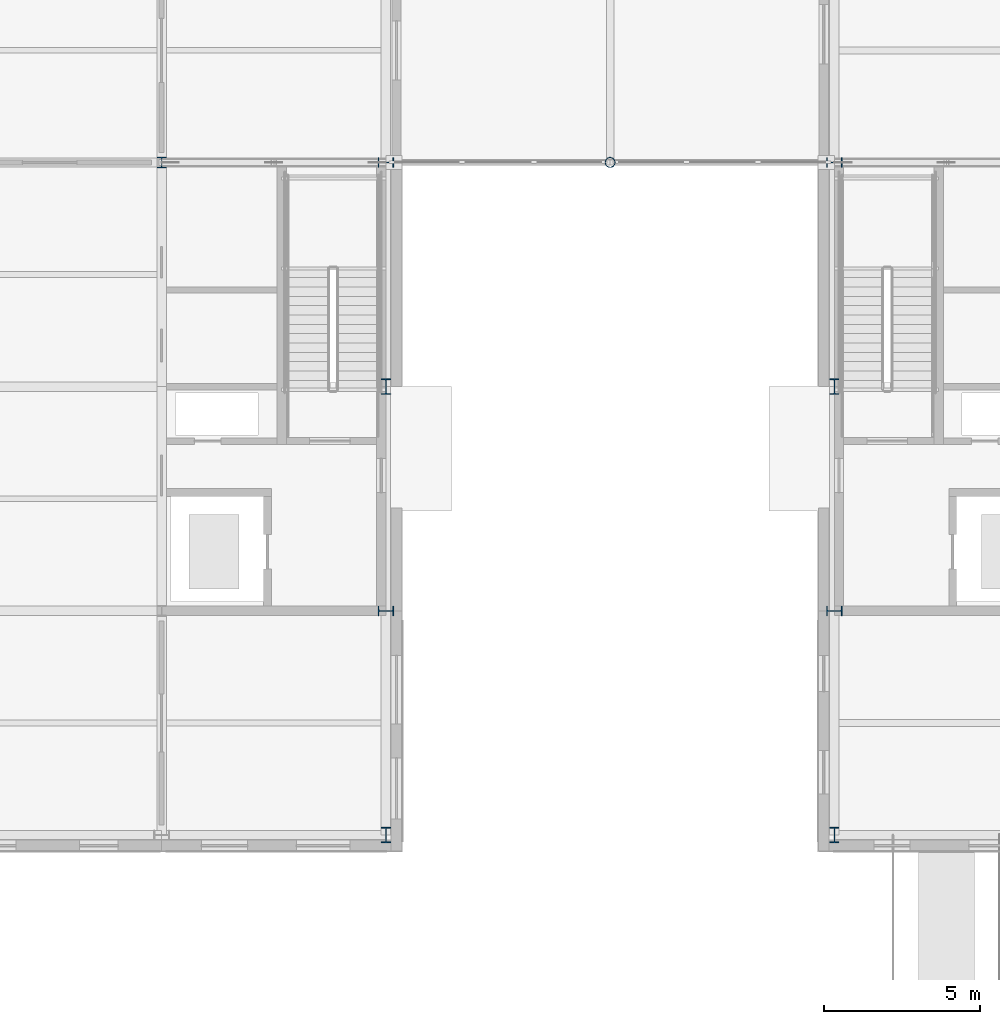
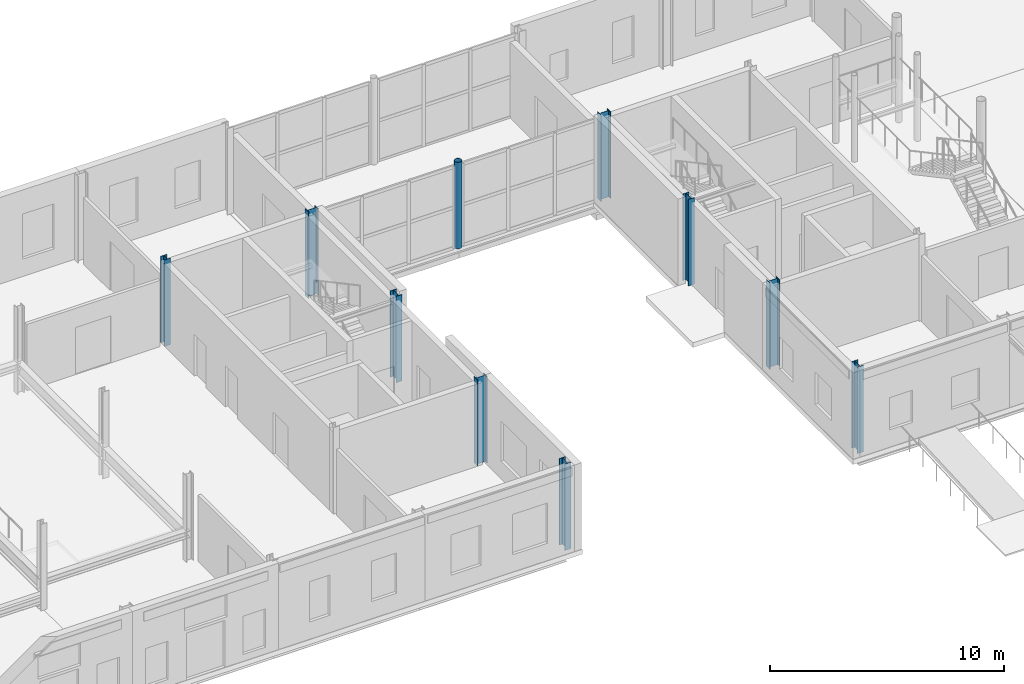
# One storey, part 2 of 92: 10 columns.
"""IFC4 building model written with IfcOpenShell, lengths in metres."""

from ifc_helpers import new_model, si_unit, direction, frame, origin, origin_2d, place, context, subcontext, project, spatial, hollow_circle, i_section, extrude, material, material_profile, profile_set, type_object, element, save


model = new_model("IFC4")

# Units and contexts
model_context = context("Model", 3, precision=1e-05, world=origin(), true_north=direction((0.0, 1.0)))
body_context = subcontext(model_context, "Body", "Model", "MODEL_VIEW")
ifc_project = project(units=[si_unit("LENGTHUNIT", "METRE"), si_unit("AREAUNIT", "SQUARE_METRE"), si_unit("VOLUMEUNIT", "CUBIC_METRE"), si_unit("PLANEANGLEUNIT", "RADIAN"), si_unit("MASSUNIT", "GRAM", prefix="KILO")], contexts=[model_context])

# Site, building, storey
site_placement = place(None, origin())
site = spatial("IfcSite", under=ifc_project, at=site_placement, CompositionType="ELEMENT")
building_placement = place(site_placement, origin())
building = spatial("IfcBuilding", under=site, at=building_placement, Name="Zlatovets Crest Museum", CompositionType="ELEMENT")
storey_placement = place(building_placement, origin())
storey = spatial("IfcBuildingStorey", under=building, at=storey_placement, Name="L00", CompositionType="ELEMENT", Elevation=0.0)

# Columns
ifc_material = material(Name="Structural steel S355J2", Category="steel")
ifc_material_profile_1 = material_profile(ifc_material, i_section(OverallWidth=0.300048828125, OverallDepth=0.5, WebThickness=0.014404296875, FlangeThickness=0.028076171875, FilletRadius=0.027099609375, at=origin_2d()), Name="HEB 500")
ifc_profile_set_1 = profile_set([ifc_material_profile_1], Name="Structural steel S355J2")
column_type_1 = type_object("IfcColumnType", Name="Col_C-05", PredefinedType="COLUMN", material=ifc_profile_set_1)
for number, where, z_axis, x_axis, name in (
    (1, (57.60009765625, 0.0, 0.0), (0.0, 0.0, 1.0), (1.0, 0.0, 0.0), "V2 L00 Column (57.6, 0.0)"),
    (2, (57.60009765625, 7.199951171875, 0.0), (0.0, 0.0, 1.0), (0.0, 1.0, 0.0), "V2 L00 Column (57.6, 7.2)"),
    (3, (57.60009765625, 14.39990234375, 0.0), (0.0, 0.0, 1.0), (1.0, 0.0, 0.0), "V2 L00 Column (57.6, 14.4)"),
    (4, (57.60009765625, 21.60009765625, 0.0), (0.0, 0.0, 1.0), (0.0, 1.0, 0.0), "V2 L00 Column (57.6, 21.6)"),
    (5, (43.199951171875, 0.0, 0.0), (0.0, 0.0, 1.0), (1.0, 0.0, 0.0), "V3 L00 Column (43.2, 0.0)"),
    (6, (43.199951171875, 7.199951171875, 0.0), (0.0, 0.0, 1.0), (0.0, 1.0, 0.0), "V3 L00 Column (43.2, 7.2)"),
    (7, (43.199951171875, 14.39990234375, 0.0), (0.0, 0.0, 1.0), (1.0, 0.0, 0.0), "V3 L00 Column (43.2, 14.4)"),
    (8, (43.199951171875, 21.60009765625, 0.0), (0.0, 0.0, 1.0), (0.0, 1.0, 0.0), "V3 L00 Column (43.2, 21.6)"),
):
    element("IfcColumn", number, at=place(storey_placement, frame(where, z_axis=z_axis, x_axis=x_axis)), inside=storey, type_object=column_type_1, Name=name, PredefinedType="COLUMN", context=body_context, shape_type="SweptSolid", body=[
        extrude(i_section(OverallWidth=0.300048828125, OverallDepth=0.5, WebThickness=0.014404296875, FlangeThickness=0.028076171875, FilletRadius=0.027099609375, at=origin_2d()), origin(), (0.0, 0.0, 1.0), 4.5),
    ])
ifc_material_profile_2 = material_profile(ifc_material, hollow_circle(Radius=0.161865234375, WallThickness=0.012451171875, at=origin_2d()), Name="CHS 323.9x12.5")
ifc_profile_set_2 = profile_set([ifc_material_profile_2], Name="Structural steel S355J2")
column_type_2 = type_object("IfcColumnType", Name="Col_C-13", PredefinedType="COLUMN", material=ifc_profile_set_2)
column_1_placement = place(storey_placement, frame((50.39990234375, 21.60009765625, 0.0), z_axis=(0.0, 0.0, 1.0), x_axis=(1.0, 0.0, 0.0)))
element("IfcColumn", 9, at=column_1_placement, inside=storey, type_object=column_type_2, Name="South Forecourt Glazed Link Bridge Portal Column", PredefinedType="COLUMN", context=body_context, shape_type="SweptSolid", body=[
    extrude(hollow_circle(Radius=0.161865234375, WallThickness=0.012451171875, at=origin_2d()), origin(), (0.0, 0.0, 1.0), 4.5),
])
ifc_material_profile_3 = material_profile(ifc_material, i_section(OverallWidth=0.300048828125, OverallDepth=0.340087890625, WebThickness=0.011962890625, FlangeThickness=0.021484375, FilletRadius=0.027099609375, at=origin_2d()), Name="HEB 340")
ifc_profile_set_3 = profile_set([ifc_material_profile_3], Name="Structural steel S355J2")
column_type_3 = type_object("IfcColumnType", Name="Col_C-15", PredefinedType="COLUMN", material=ifc_profile_set_3)
column_2_placement = place(storey_placement, frame((36.0, 21.60009765625, 0.0), z_axis=(0.0, 0.0, 1.0), x_axis=(1.0, 0.0, 0.0)))
element("IfcColumn", 10, at=column_2_placement, inside=storey, type_object=column_type_3, Name="V3 L00 Column (36.0, 21.6)", PredefinedType="COLUMN", context=body_context, shape_type="SweptSolid", body=[
    extrude(i_section(OverallWidth=0.300048828125, OverallDepth=0.340087890625, WebThickness=0.011962890625, FlangeThickness=0.021484375, FilletRadius=0.027099609375, at=origin_2d()), origin(), (0.0, 0.0, 1.0), 4.5),
])

save(model, "model.ifc")
